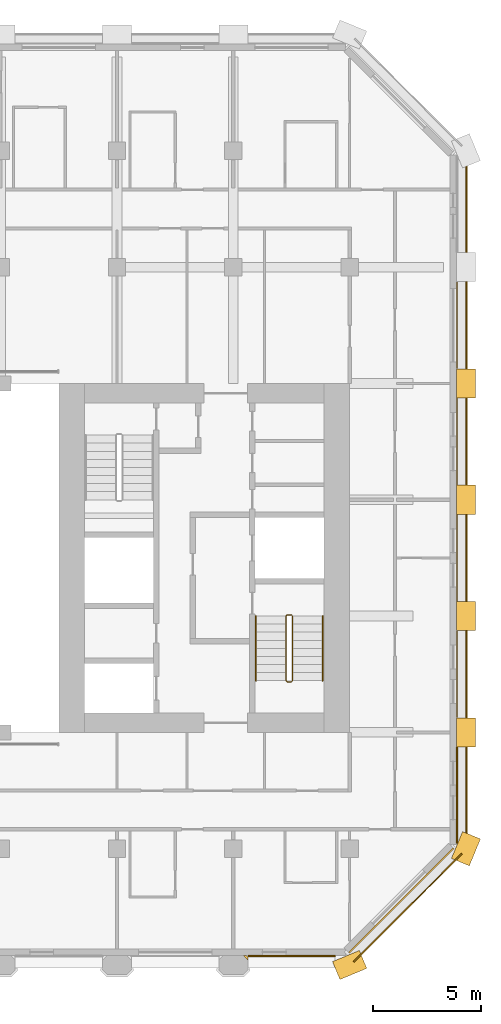
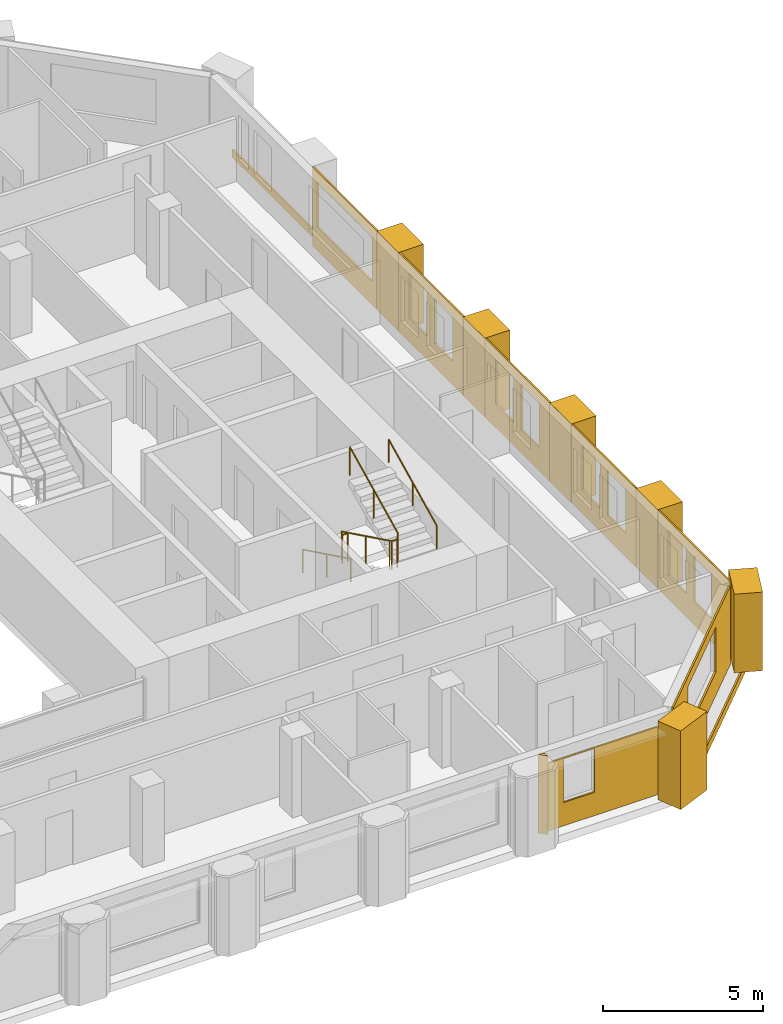
# One storey, part 11 of 12: 16 coverings, 3 railings.
"""IFC4 building model written with IfcOpenShell, lengths in metres."""

from ifc_helpers import new_model, si_unit, direction, frame, frame_2d, origin, origin_2d, place, context, subcontext, project, spatial, polyline, rectangle, circle, outline, extrude, material, layer, layer_set, type_object, element, save


model = new_model("IFC4")

# Units and contexts
model_context = context("Model", 3, precision=1e-05, world=origin(), true_north=direction((0.0, 1.0)))
body_context = subcontext(model_context, "Body", "Model", "MODEL_VIEW")
ifc_project = project(units=[si_unit("LENGTHUNIT", "METRE"), si_unit("AREAUNIT", "SQUARE_METRE"), si_unit("VOLUMEUNIT", "CUBIC_METRE"), si_unit("PLANEANGLEUNIT", "RADIAN"), si_unit("MASSUNIT", "GRAM", prefix="KILO")], contexts=[model_context])

# Site, building, storey
site_placement = place(None, origin())
site = spatial("IfcSite", under=ifc_project, at=site_placement, CompositionType="ELEMENT")
building_placement = place(site_placement, origin())
building = spatial("IfcBuilding", under=site, at=building_placement, Name="Tabaq Tower and Sports Hall", CompositionType="ELEMENT")
storey_placement = place(building_placement, frame((0.0, 0.0, 193.89990234375)))
storey = spatial("IfcBuildingStorey", under=building, at=storey_placement, Name="L47", CompositionType="ELEMENT", Elevation=193.89990234375)

# Coverings
ifc_material_1 = material(Name="Precast concrete C60/75", Category="concrete")
ifc_layer_1 = layer(ifc_material_1, 0.10009765625)
ifc_layer_set_1 = layer_set([ifc_layer_1], Name="Column cladding 100")
covering_type_1 = type_object("IfcCoveringType", Name="Column cladding 100", PredefinedType="CLADDING", material=ifc_layer_set_1)
covering_1_placement = place(storey_placement, origin())
element("IfcCovering", 1, at=covering_1_placement, inside=storey, type_object=covering_type_1, Name="Column cladding L47 PC-8B-H2 3", PredefinedType="CLADDING", context=body_context, shape_type="SweptSolid", body=[
    extrude(outline(polyline([(38.474365234375, 5.62646484375), (38.25146484375, 5.849365234375), (38.39111328125, 5.849365234375), (38.474365234375, 5.76611328125), (38.474365234375, 5.62646484375)])), origin(), (0.0, 0.0, 1.0), 3.0),
])
ifc_material_2 = material(Name="Precast concrete C60/75", Category="concrete")
ifc_layer_2 = layer(ifc_material_2, 0.06005859375)
ifc_layer_set_2 = layer_set([ifc_layer_2], Name="Edge beam cladding 60")
covering_type_2 = type_object("IfcCoveringType", Name="Edge beam cladding 60", PredefinedType="CLADDING", material=ifc_layer_set_2)
covering_2_placement = place(storey_placement, frame((43.39794921875, 5.5556640625, -0.2998046875), z_axis=(0.0, 0.0, 1.0), x_axis=(0.707124002701, 0.707089559252, 0.0)))
element("IfcCovering", 2, at=covering_2_placement, inside=storey, type_object=covering_type_2, Name="Edge beam cladding L47 1", PredefinedType="CLADDING", context=body_context, shape_type="SweptSolid", body=[
    extrude(rectangle(XDim=7.088134765625, YDim=0.06005859375, at=frame_2d((3.5439453125, 0.0))), origin(), (0.0, 0.0, 1.0), 0.2998046875),
])
covering_3_placement = place(storey_placement, frame((48.6298828125, 11.0986328125, -0.2998046875), z_axis=(0.0, 0.0, 1.0), x_axis=(0.0, 1.0, 0.0)))
element("IfcCovering", 3, at=covering_3_placement, inside=storey, type_object=covering_type_2, Name="Edge beam cladding L47 2", PredefinedType="CLADDING", context=body_context, shape_type="SweptSolid", body=[
    extrude(rectangle(XDim=31.802734375, YDim=0.06005859375, at=frame_2d((15.9013671875, 0.0))), origin(), (0.0, 0.0, 1.0), 0.2998046875),
])
ifc_material_3 = material(Name="White precast concrete C60/75", Category="concrete")
covering_type_3 = type_object("IfcCoveringType", Name="Pier cladding hung 1350x900", PredefinedType="CLADDING", material=ifc_material_3)
for number, where, z_axis, x_axis, name in (
    (4, (42.576416015625, 5.1416015625, 0.0), (0.0, 0.0, 1.0), (0.923893411637, 0.382649923473, 0.0), "Hung pier cladding 8/1"),
    (5, (48.341796875, 10.17626953125, 0.0), (0.0, 0.0, 1.0), (0.382649923473, 0.923893411637, 0.0), "Hung pier cladding 9/2"),
    (6, (48.60009765625, 15.52490234375, 0.0), (0.0, 0.0, 1.0), (0.0, 1.0, 0.0), "Hung pier cladding 9/3"),
):
    element("IfcCovering", number, at=place(storey_placement, frame(where, z_axis=z_axis, x_axis=x_axis)), inside=storey, type_object=covering_type_3, Name=name, PredefinedType="CLADDING", context=body_context, shape_type="SweptSolid", body=[
        extrude(rectangle(XDim=1.35009765625, YDim=0.89990234375, at=frame_2d((0.675048828125, 0.0))), origin(), (0.0, 0.0, 1.0), 3.0),
    ])
covering_4_placement = place(storey_placement, frame((48.60009765625, 20.925048828125, 0.0), z_axis=(0.0, 0.0, 1.0), x_axis=(0.0, 1.0, 0.0)))
element("IfcCovering", 7, at=covering_4_placement, inside=storey, type_object=covering_type_3, Name="Hung pier cladding 9/4", PredefinedType="CLADDING", context=body_context, shape_type="SweptSolid", body=[
    extrude(rectangle(XDim=1.349853515625, YDim=0.89990234375, at=frame_2d((0.6748046875, 0.0))), origin(), (0.0, 0.0, 1.0), 3.0),
])
covering_5_placement = place(storey_placement, frame((48.60009765625, 26.324951171875, 0.0), z_axis=(0.0, 0.0, 1.0), x_axis=(0.0, 1.0, 0.0)))
element("IfcCovering", 8, at=covering_5_placement, inside=storey, type_object=covering_type_3, Name="Hung pier cladding 9/5", PredefinedType="CLADDING", context=body_context, shape_type="SweptSolid", body=[
    extrude(rectangle(XDim=1.35009765625, YDim=0.89990234375, at=frame_2d((0.675048828125, 0.0))), origin(), (0.0, 0.0, 1.0), 3.0),
])
covering_6_placement = place(storey_placement, frame((48.60009765625, 31.72509765625, 0.0), z_axis=(0.0, 0.0, 1.0), x_axis=(0.0, 1.0, 0.0)))
element("IfcCovering", 9, at=covering_6_placement, inside=storey, type_object=covering_type_3, Name="Hung pier cladding 9/6", PredefinedType="CLADDING", context=body_context, shape_type="SweptSolid", body=[
    extrude(rectangle(XDim=1.349853515625, YDim=0.89990234375, at=frame_2d((0.6748046875, 0.0))), origin(), (0.0, 0.0, 1.0), 3.0),
])

# Railings
ifc_material_4 = material(Name="Stainless steel", Category="steel")
railing_type_1 = type_object("IfcRailingType", Name="Stair guard", PredefinedType="GUARDRAIL", material=ifc_material_4)
railing_1_placement = place(storey_placement, frame((40.5, 21.64990234375, 0.0)))
element("IfcRailing", 10, at=railing_1_placement, inside=storey, type_object=railing_type_1, Name="L47 ST3 stair guard 1", PredefinedType="GUARDRAIL", context=body_context, shape_type="SweptSolid", body=[
    extrude(circle(Radius=0.02392578125, at=origin_2d()), frame((0.0, 0.0, 1.076171875), z_axis=(-1.0, 0.0, 0.0), x_axis=(0.0, -1.0, 0.0)), (0.0, 0.0, 1.0), 0.199951171875),
    extrude(circle(Radius=0.02392578125, at=origin_2d()), frame((-0.199951171875, 0.0, 1.076171875), z_axis=(-0.254733673405, -0.25349107012, 0.933195066962), x_axis=(0.705375805398, -0.708833529934, 0.0)), (0.0, 0.0, 1.0), 0.196533203125),
    extrude(circle(Radius=0.02392578125, at=origin_2d()), frame((-0.25, -0.0498046875, 1.25927734375), z_axis=(0.0, -0.898368975038, 0.439241601728), x_axis=(1.0, 0.0, 0.0)), (0.0, 0.0, 1.0), 3.33935546875),
    extrude(circle(Radius=0.02392578125, at=origin_2d()), frame((-0.25, -3.0498046875, 2.72607421875), z_axis=(0.707106781187, -0.707106781187, 0.0), x_axis=(0.707106781187, 0.707106781187, 0.0)), (0.0, 0.0, 1.0), 0.07080078125),
    extrude(circle(Radius=0.02392578125, at=origin_2d()), frame((-0.199951171875, -3.099853515625, 2.72607421875), z_axis=(1.0, 0.0, 0.0), x_axis=(0.0, 1.0, 0.0)), (0.0, 0.0, 1.0), 0.199951171875),
    extrude(circle(Radius=0.02392578125, at=origin_2d()), frame((0.0, -3.099853515625, 2.72607421875), z_axis=(0.254653276557, 0.254653276557, 0.932900539971), x_axis=(-0.707106781187, 0.707106781187, 0.0)), (0.0, 0.0, 1.0), 0.196533203125),
    extrude(circle(Radius=0.02392578125, at=origin_2d()), frame((0.050048828125, -3.0498046875, 2.90966796875), z_axis=(0.0, 0.898397823093, 0.439182594671), x_axis=(-1.0, 0.0, 0.0)), (0.0, 0.0, 1.0), 3.33935546875),
    extrude(circle(Radius=0.02099609375, at=origin_2d()), origin(), (0.0, 0.0, 1.0), 1.052001953125),
    extrude(circle(Radius=0.02099609375, at=origin_2d()), frame((-0.199951171875, 0.0, 0.0)), (0.0, 0.0, 1.0), 1.052001953125),
    extrude(circle(Radius=0.02099609375, at=origin_2d()), frame((-0.25, -0.0498046875, 0.183349609375)), (0.0, 0.0, 1.0), 1.052001953125),
    extrude(circle(Radius=0.02099609375, at=origin_2d()), frame((-0.25, -1.5498046875, 0.916748046875)), (0.0, 0.0, 1.0), 1.052001953125),
    extrude(circle(Radius=0.02099609375, at=origin_2d()), frame((-0.25, -3.0498046875, 1.650146484375)), (0.0, 0.0, 1.0), 1.052001953125),
    extrude(circle(Radius=0.02099609375, at=origin_2d()), frame((-0.199951171875, -3.099853515625, 1.650146484375)), (0.0, 0.0, 1.0), 1.052001953125),
    extrude(circle(Radius=0.02099609375, at=origin_2d()), frame((0.0, -3.099853515625, 1.650146484375)), (0.0, 0.0, 1.0), 1.052001953125),
    extrude(circle(Radius=0.02099609375, at=origin_2d()), frame((0.050048828125, -3.0498046875, 1.83349609375)), (0.0, 0.0, 1.0), 1.052001953125),
    extrude(circle(Radius=0.02099609375, at=origin_2d()), frame((0.050048828125, -1.5498046875, 2.56689453125)), (0.0, 0.0, 1.0), 1.052001953125),
    extrude(circle(Radius=0.02099609375, at=origin_2d()), frame((0.050048828125, -0.0498046875, 3.300048828125)), (0.0, 0.0, 1.0), 1.052001953125),
])
ifc_material_5 = material(Name="Stainless steel", Category="steel")
railing_type_2 = type_object("IfcRailingType", Name="Stair handrail", PredefinedType="HANDRAIL", material=ifc_material_5)
railing_2_placement = place(storey_placement, frame((38.85009765625, 21.60009765625, 0.183349609375)))
element("IfcRailing", 11, at=railing_2_placement, inside=storey, type_object=railing_type_2, Name="L47 ST3 stair handrail 1", PredefinedType="HANDRAIL", context=body_context, shape_type="SweptSolid", body=[
    extrude(circle(Radius=0.02392578125, at=origin_2d()), frame((0.0, 0.0, 0.8759765625), z_axis=(0.0, -0.898368975038, 0.439241601728), x_axis=(1.0, 0.0, 0.0)), (0.0, 0.0, 1.0), 3.33935546875),
    extrude(circle(Radius=0.02099609375, at=origin_2d()), origin(), (0.0, 0.0, 1.0), 0.851806640625),
    extrude(circle(Radius=0.02099609375, at=origin_2d()), frame((0.0, -1.5, 0.7333984375)), (0.0, 0.0, 1.0), 0.851806640625),
    extrude(circle(Radius=0.02099609375, at=origin_2d()), frame((0.0, -3.0, 1.466796875)), (0.0, 0.0, 1.0), 0.851806640625),
])
railing_3_placement = place(storey_placement, frame((41.949951171875, 18.60009765625, 1.83349609375)))
element("IfcRailing", 12, at=railing_3_placement, inside=storey, type_object=railing_type_2, Name="L47 ST3 stair handrail 2", PredefinedType="HANDRAIL", context=body_context, shape_type="SweptSolid", body=[
    extrude(circle(Radius=0.02392578125, at=origin_2d()), frame((0.0, 0.0, 0.8759765625), z_axis=(0.0, 0.898397823093, 0.439182594671), x_axis=(-1.0, 0.0, 0.0)), (0.0, 0.0, 1.0), 3.33935546875),
    extrude(circle(Radius=0.02099609375, at=origin_2d()), origin(), (0.0, 0.0, 1.0), 0.851806640625),
    extrude(circle(Radius=0.02099609375, at=origin_2d()), frame((0.0, 1.5, 0.7333984375)), (0.0, 0.0, 1.0), 0.851806640625),
    extrude(circle(Radius=0.02099609375, at=origin_2d()), frame((0.0, 3.0, 1.466552734375)), (0.0, 0.0, 1.0), 0.851806640625),
])

# Coverings
ifc_material_6 = material(Name="Precast concrete C60/75", Category="concrete")
ifc_layer_3 = layer(ifc_material_6, 0.06005859375)
ifc_layer_set_3 = layer_set([ifc_layer_3], Name="White precast cladding panel 60 C60/75")
covering_type_4 = type_object("IfcCoveringType", Name="White precast cladding panel 60 C60/75", PredefinedType="CLADDING", material=ifc_layer_set_3)
covering_7_placement = place(storey_placement, frame((38.485107421875, 5.820068359375, 0.0), z_axis=(0.0, 0.0, 1.0), x_axis=(1.0, 0.0, 0.0)))
element("IfcCovering", 13, at=covering_7_placement, inside=storey, type_object=covering_type_4, Name="White precast cladding panel L47 wall00 6", PredefinedType="CLADDING", context=body_context, shape_type="SweptSolid", body=[
    extrude(outline(polyline([(0.0, 0.0), (4.0498046875, 0.0), (4.0498046875, 2.590087890625), (0.0, 2.590087890625), (0.0, 0.0)]), holes=[polyline([(1.77490234375, 0.89013671875), (0.655029296875, 0.89013671875), (0.655029296875, 2.56005859375), (1.77490234375, 2.56005859375), (1.77490234375, 0.89013671875)])]), frame((0.0, 0.030029296875, 0.0), z_axis=(0.0, -1.0, 0.0), x_axis=(1.0, 0.0, 0.0)), (0.0, 0.0, 1.0), 0.06005859375),
])
covering_8_placement = place(storey_placement, frame((43.177734375, 5.9716796875, 0.0), z_axis=(0.0, 0.0, 1.0), x_axis=(0.707106781187, 0.707106781187, 0.0)))
element("IfcCovering", 14, at=covering_8_placement, inside=storey, type_object=covering_type_4, Name="White precast cladding panel L47 wall01", PredefinedType="CLADDING", context=body_context, shape_type="SweptSolid", body=[
    extrude(outline(polyline([(0.0, 0.0), (6.85986328125, 0.0), (6.85986328125, 3.0), (0.0, 3.0), (0.0, 0.0)]), holes=[polyline([(1.7197265625, 0.89013671875), (1.7197265625, 2.610107421875), (5.139892578125, 2.610107421875), (5.139892578125, 0.89013671875), (1.7197265625, 0.89013671875)])]), frame((0.0, 0.030029296875, 0.0), z_axis=(0.0, -1.0, 0.0), x_axis=(1.0, 0.0, 0.0)), (0.0, 0.0, 1.0), 0.06005859375),
])
covering_9_placement = place(storey_placement, frame((48.179931640625, 11.043212890625, 0.0), z_axis=(0.0, 0.0, 1.0), x_axis=(0.0, 1.0, 0.0)))
element("IfcCovering", 15, at=covering_9_placement, inside=storey, type_object=covering_type_4, Name="White precast cladding panel L47 wall02", PredefinedType="CLADDING", context=body_context, shape_type="SweptSolid", body=[
    extrude(outline(polyline([(0.0, 0.0), (4.4716796875, 0.0), (4.4716796875, 3.0), (0.0, 3.0), (0.0, 0.0)]), holes=[polyline([(1.096923828125, 2.610107421875), (2.216796875, 2.610107421875), (2.216796875, 0.89013671875), (1.096923828125, 0.89013671875), (1.096923828125, 2.610107421875)]), polyline([(2.69677734375, 2.610107421875), (3.81689453125, 2.610107421875), (3.81689453125, 0.89013671875), (2.69677734375, 0.89013671875), (2.69677734375, 2.610107421875)])]), frame((0.0, 0.030029296875, 0.0), z_axis=(0.0, -1.0, 0.0), x_axis=(1.0, 0.0, 0.0)), (0.0, 0.0, 1.0), 0.06005859375),
])
for number, where, z_axis, x_axis, name in (
    (16, (48.179931640625, 16.885009765625, 0.0), (0.0, 0.0, 1.0), (0.0, 1.0, 0.0), "White precast cladding panel L47 wall02 2"),
    (17, (48.179931640625, 22.284912109375, 0.0), (0.0, 0.0, 1.0), (0.0, 1.0, 0.0), "White precast cladding panel L47 wall02 3"),
    (18, (48.179931640625, 27.68505859375, 0.0), (0.0, 0.0, 1.0), (0.0, 1.0, 0.0), "White precast cladding panel L47 wall02 4"),
):
    element("IfcCovering", number, at=place(storey_placement, frame(where, z_axis=z_axis, x_axis=x_axis)), inside=storey, type_object=covering_type_4, Name=name, PredefinedType="CLADDING", context=body_context, shape_type="SweptSolid", body=[
        extrude(outline(polyline([(0.0, 0.0), (4.030029296875, 0.0), (4.030029296875, 3.0), (0.0, 3.0), (0.0, 0.0)]), holes=[polyline([(0.655029296875, 2.610107421875), (1.77490234375, 2.610107421875), (1.77490234375, 0.89013671875), (0.655029296875, 0.89013671875), (0.655029296875, 2.610107421875)]), polyline([(2.2548828125, 2.610107421875), (3.375, 2.610107421875), (3.375, 0.89013671875), (2.2548828125, 0.89013671875), (2.2548828125, 2.610107421875)])]), frame((0.0, 0.030029296875, 0.0), z_axis=(0.0, -1.0, 0.0), x_axis=(1.0, 0.0, 0.0)), (0.0, 0.0, 1.0), 0.06005859375),
    ])
covering_10_placement = place(storey_placement, frame((48.179931640625, 33.0849609375, 0.0), z_axis=(0.0, 0.0, 1.0), x_axis=(0.0, 1.0, 0.0)))
element("IfcCovering", 19, at=covering_10_placement, inside=storey, type_object=covering_type_4, Name="White precast cladding panel L47 wall02 5", PredefinedType="CLADDING", context=body_context, shape_type="SweptSolid", body=[
    extrude(outline(polyline([(0.0, 0.0), (4.030029296875, 0.0), (4.030029296875, 3.0), (0.0, 3.0), (0.0, 0.0)]), holes=[polyline([(0.304931640625, 0.89013671875), (0.304931640625, 2.610107421875), (3.72509765625, 2.610107421875), (3.72509765625, 0.89013671875), (0.304931640625, 0.89013671875)])]), frame((0.0, 0.030029296875, 0.0), z_axis=(0.0, -1.0, 0.0), x_axis=(1.0, 0.0, 0.0)), (0.0, 0.0, 1.0), 0.06005859375),
])

save(model, "model.ifc")
